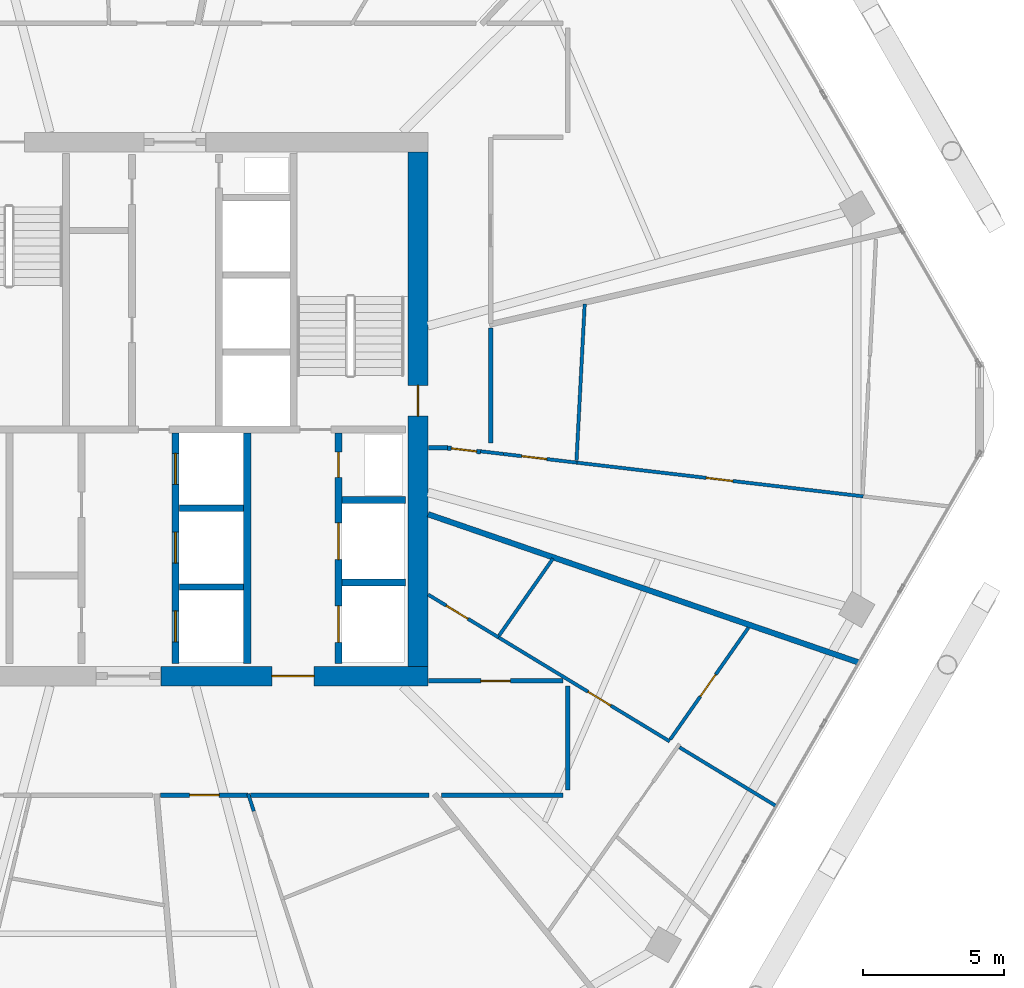
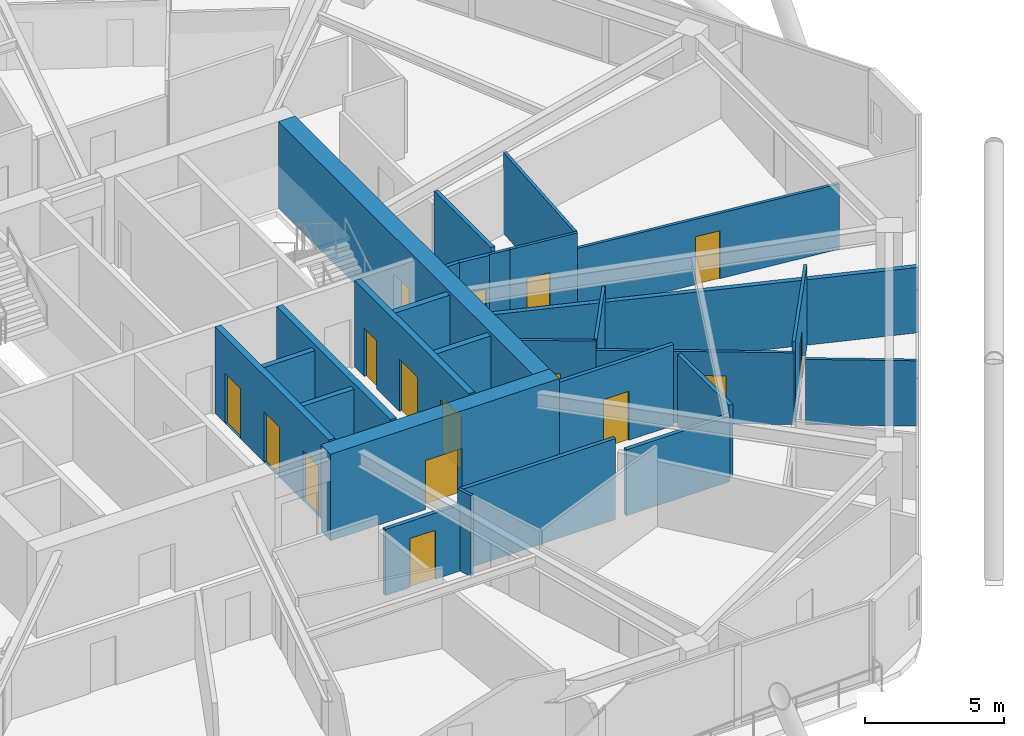
# One storey, part 23 of 28: 28 walls, 16 doors, 16 openings.
"""IFC4 building model written with IfcOpenShell, lengths in metres."""

from ifc_helpers import new_model, si_unit, direction, frame, frame_2d, origin, place, context, subcontext, project, spatial, rectangle, extrude, material, layer, layer_set, type_object, element, fill, save


model = new_model("IFC4")

# Units and contexts
model_context = context("Model", 3, precision=1e-05, world=origin(), true_north=direction((0.0, 1.0)))
body_context = subcontext(model_context, "Body", "Model", "MODEL_VIEW")
ifc_project = project(units=[si_unit("LENGTHUNIT", "METRE"), si_unit("AREAUNIT", "SQUARE_METRE"), si_unit("VOLUMEUNIT", "CUBIC_METRE"), si_unit("PLANEANGLEUNIT", "RADIAN"), si_unit("MASSUNIT", "GRAM", prefix="KILO")], contexts=[model_context])

# Site, building, storey
site_placement = place(None, origin())
site = spatial("IfcSite", under=ifc_project, at=site_placement, CompositionType="ELEMENT")
building_placement = place(site_placement, origin())
building = spatial("IfcBuilding", under=site, at=building_placement, Name="Zuhravey Tower", CompositionType="ELEMENT")
storey_placement = place(building_placement, frame((0.0, 0.0, 207.39990234375)))
storey = spatial("IfcBuildingStorey", under=building, at=storey_placement, Name="L52", CompositionType="ELEMENT", Elevation=207.39990234375)

# Wall, opening, door
ifc_material_1 = material(Name="Concrete C60/75", Category="concrete")
ifc_layer_1 = layer(ifc_material_1, 0.699951171875)
ifc_layer_set_1 = layer_set([ifc_layer_1], Name="Concrete C60/75")
wall_type_1 = type_object("IfcWallType", Name="Core Shear Wall 700", PredefinedType="SHEAR", material=ifc_layer_set_1)
wall_1_placement = place(storey_placement, frame((37.35009765625, 22.5, 0.0), z_axis=(0.0, 0.0, 1.0), x_axis=(1.0, 0.0, 0.0)))
wall_1 = element("IfcWall", 1, at=wall_1_placement, inside=storey, type_object=wall_type_1, Name="L52 South-East Core Shear Wall CW70", PredefinedType="SHEAR", context=body_context, shape_type="SweptSolid", body=[
    extrude(rectangle(XDim=9.5, YDim=0.699951171875, at=frame_2d((4.75, 0.0))), origin(), (0.0, 0.0, 1.0), 3.800048828125),
])
opening_1_placement = place(wall_1_placement, frame((3.949951171875, 0.0, 0.0)))
opening_1 = element("IfcOpeningElement", 2, at=opening_1_placement, cuts=wall_1, Name="Opening FFD1", PredefinedType="OPENING", context=body_context, shape_type="SweptSolid", body=[
    extrude(rectangle(XDim=1.5, YDim=2.14990234375, at=frame_2d((0.75, 1.074951171875))), frame((0.0, 0.362060546875, 0.0), z_axis=(0.0, -1.0, 0.0), x_axis=(1.0, 0.0, 0.0)), (0.0, 0.0, 1.0), 0.723876953125),
])
ifc_material_2 = material(Name="Galvanised fire-rated steel leaf", Category="steel")
door_type_1 = type_object("IfcDoorType", Name="Firefighting Lobby Double Door 1500x2150", OperationType="DOUBLE_DOOR_SINGLE_SWING", PredefinedType="DOOR", material=ifc_material_2)
door_1_placement = place(opening_1_placement, origin())
door_1 = element("IfcDoor", 3, at=door_1_placement, inside=storey, type_object=door_type_1, Name="L52 Firefighting Lobby East Door", OperationType="DOUBLE_DOOR_SINGLE_SWING", OverallHeight=2.14990234375, OverallWidth=1.5, PredefinedType="DOOR", context=body_context, shape_type="SweptSolid", body=[
    extrude(rectangle(XDim=1.5, YDim=2.14990234375, at=frame_2d((0.75, 1.074951171875))), frame((0.0, 0.02490234375, 0.0), z_axis=(0.0, -1.0, 0.0), x_axis=(1.0, 0.0, 0.0)), (0.0, 0.0, 1.0), 0.050048828125),
])
fill(opening_1, door_1)

wall_2_placement = place(storey_placement, frame((46.5, 22.85009765625, 0.0), z_axis=(0.0, 0.0, 1.0), x_axis=(0.0, 1.0, 0.0)))
wall_2 = element("IfcWall", 4, at=wall_2_placement, inside=storey, type_object=wall_type_1, Name="L52 East Core Shear Wall CW70", PredefinedType="SHEAR", context=body_context, shape_type="SweptSolid", body=[
    extrude(rectangle(XDim=18.2998046875, YDim=0.699951171875, at=frame_2d((9.14990234375, 0.0))), origin(), (0.0, 0.0, 1.0), 3.800048828125),
])
opening_2_placement = place(wall_2_placement, frame((8.89990234375, 0.0, 0.0)))
opening_2 = element("IfcOpeningElement", 5, at=opening_2_placement, cuts=wall_2, Name="Opening STD1", PredefinedType="OPENING", context=body_context, shape_type="SweptSolid", body=[
    extrude(rectangle(XDim=1.10009765625, YDim=2.14990234375, at=frame_2d((0.550048828125, 1.074951171875))), frame((0.0, 0.362060546875, 0.0), z_axis=(0.0, -1.0, 0.0), x_axis=(1.0, 0.0, 0.0)), (0.0, 0.0, 1.0), 0.723876953125),
])
door_type_2 = type_object("IfcDoorType", Name="Protected Stair Fire Door 1100x2150", OperationType="NOTDEFINED", PredefinedType="USERDEFINED", material=ifc_material_2)
door_2_placement = place(opening_2_placement, origin())
door_2 = element("IfcDoor", 6, at=door_2_placement, inside=storey, type_object=door_type_2, Name="L52 Stair ST2 Door", ObjectType="EXITDOOR", OperationType="SINGLE_SWING_RIGHT", OverallHeight=2.14990234375, OverallWidth=1.10009765625, PredefinedType="USERDEFINED", context=body_context, shape_type="SweptSolid", body=[
    extrude(rectangle(XDim=1.10009765625, YDim=2.14990234375, at=frame_2d((0.550048828125, 1.074951171875))), frame((0.0, 0.02490234375, 0.0), z_axis=(0.0, -1.0, 0.0), x_axis=(1.0, 0.0, 0.0)), (0.0, 0.0, 1.0), 0.050048828125),
])
fill(opening_2, door_2)

ifc_material_3 = material(Name="Gypsum fire-rated stud partition")
ifc_layer_2 = layer(ifc_material_3, 0.159912109375)
ifc_layer_set_2 = layer_set([ifc_layer_2], Name="Gypsum fire-rated stud partition")
wall_type_2 = type_object("IfcWallType", Name="Corridor Fire Partition 160", PredefinedType="PARTITIONING", material=ifc_layer_set_2)
wall_3_placement = place(storey_placement, frame((37.342041015625, 18.27001953125, 0.0), z_axis=(0.0, 0.0, 1.0), x_axis=(1.0, 0.0, 0.0)))
wall_3 = element("IfcWall", 7, at=wall_3_placement, inside=storey, type_object=wall_type_2, Name="L52 IW16 Partition 059", PredefinedType="PARTITIONING", context=body_context, shape_type="SweptSolid", body=[
    extrude(rectangle(XDim=3.108642578125, YDim=0.159912109375, at=frame_2d((1.55419921875, 0.0))), origin(), (0.0, 0.0, 1.0), 2.900146484375),
])
opening_3_placement = place(wall_3_placement, frame((1.029296875, 0.0, 0.0)))
opening_3 = element("IfcOpeningElement", 8, at=opening_3_placement, cuts=wall_3, Name="Opening APD1", PredefinedType="OPENING", context=body_context, shape_type="SweptSolid", body=[
    extrude(rectangle(XDim=1.050048828125, YDim=2.14990234375, at=frame_2d((0.52490234375, 1.074951171875))), frame((0.0, 0.092041015625, 0.0), z_axis=(0.0, -1.0, 0.0), x_axis=(1.0, 0.0, 0.0)), (0.0, 0.0, 1.0), 0.183837890625),
])
ifc_material_4 = material(Name="Solid-core oak fire-rated leaf")
door_type_3 = type_object("IfcDoorType", Name="Apartment Entrance Fire Door 1050x2150", OperationType="NOTDEFINED", PredefinedType="DOOR", material=ifc_material_4)
door_3_placement = place(opening_3_placement, frame((1.050048828125, 0.0, 0.0), z_axis=(0.0, 0.0, 1.0), x_axis=(-1.0, 0.0, 0.0)))
door_3 = element("IfcDoor", 9, at=door_3_placement, inside=storey, type_object=door_type_3, Name="L52 Door 059.1", OperationType="SINGLE_SWING_LEFT", OverallHeight=2.14990234375, OverallWidth=1.050048828125, PredefinedType="DOOR", context=body_context, shape_type="SweptSolid", body=[
    extrude(rectangle(XDim=1.050048828125, YDim=2.14990234375, at=frame_2d((0.52490234375, 1.074951171875))), frame((0.0, 0.02490234375, 0.0), z_axis=(0.0, -1.0, 0.0), x_axis=(1.0, 0.0, 0.0)), (0.0, 0.0, 1.0), 0.050048828125),
])
fill(opening_3, door_3)

wall_4_placement = place(storey_placement, frame((51.64990234375, 22.330078125, 0.0), z_axis=(0.0, 0.0, 1.0), x_axis=(-1.0, 0.0, 0.0)))
wall_4 = element("IfcWall", 10, at=wall_4_placement, inside=storey, type_object=wall_type_2, Name="L52 IW16 Partition 064", PredefinedType="PARTITIONING", context=body_context, shape_type="SweptSolid", body=[
    extrude(rectangle(XDim=4.77978515625, YDim=0.159912109375, at=frame_2d((2.389892578125, 0.0))), origin(), (0.0, 0.0, 1.0), 3.550048828125),
])
opening_4_placement = place(wall_4_placement, frame((1.864990234375, 0.0, 0.0)))
opening_4 = element("IfcOpeningElement", 11, at=opening_4_placement, cuts=wall_4, Name="Opening APD1", PredefinedType="OPENING", context=body_context, shape_type="SweptSolid", body=[
    extrude(rectangle(XDim=1.050048828125, YDim=2.14990234375, at=frame_2d((0.52490234375, 1.074951171875))), frame((0.0, 0.092041015625, 0.0), z_axis=(0.0, -1.0, 0.0), x_axis=(1.0, 0.0, 0.0)), (0.0, 0.0, 1.0), 0.183837890625),
])
door_4_placement = place(opening_4_placement, origin())
door_4 = element("IfcDoor", 12, at=door_4_placement, inside=storey, type_object=door_type_3, Name="L52 Door 064.1", OperationType="SINGLE_SWING_LEFT", OverallHeight=2.14990234375, OverallWidth=1.050048828125, PredefinedType="DOOR", context=body_context, shape_type="SweptSolid", body=[
    extrude(rectangle(XDim=1.050048828125, YDim=2.14990234375, at=frame_2d((0.52490234375, 1.074951171875))), frame((0.0, 0.02490234375, 0.0), z_axis=(0.0, -1.0, 0.0), x_axis=(1.0, 0.0, 0.0)), (0.0, 0.0, 1.0), 0.050048828125),
])
fill(opening_4, door_4)

wall_5_placement = place(storey_placement, frame((47.541259765625, 30.6201171875, 0.0), z_axis=(0.0, 0.0, 1.0), x_axis=(0.993117135496, -0.117125382325, 0.0)))
wall_5 = element("IfcWall", 13, at=wall_5_placement, inside=storey, type_object=wall_type_2, Name="L52 IW16 Partition 068", PredefinedType="PARTITIONING", context=body_context, shape_type="SweptSolid", body=[
    extrude(rectangle(XDim=1.196533203125, YDim=0.159912109375, at=frame_2d((0.59814453125, 0.0))), origin(), (0.0, 0.0, 1.0), 3.550048828125),
])
opening_5_placement = place(wall_5_placement, frame((0.148193359375, 0.0, 0.0)))
opening_5 = element("IfcOpeningElement", 14, at=opening_5_placement, cuts=wall_5, Name="Opening RSD1", PredefinedType="OPENING", context=body_context, shape_type="SweptSolid", body=[
    extrude(rectangle(XDim=0.89990234375, YDim=2.10009765625, at=frame_2d((0.449951171875, 1.050048828125))), frame((0.0, 0.092041015625, 0.0), z_axis=(0.0, -1.0, 0.0), x_axis=(1.0, 0.0, 0.0)), (0.0, 0.0, 1.0), 0.183837890625),
])
ifc_material_5 = material(Name="Galvanised fire-rated steel access leaf", Category="steel")
door_type_4 = type_object("IfcDoorType", Name="Riser & Shaft Access Fire Door 900x2100", OperationType="NOTDEFINED", PredefinedType="DOOR", material=ifc_material_5)
door_5_placement = place(opening_5_placement, frame((0.89990234375, 0.0, 0.0), z_axis=(0.0, 0.0, 1.0), x_axis=(-1.0, 0.0, 0.0)))
door_5 = element("IfcDoor", 15, at=door_5_placement, inside=storey, type_object=door_type_4, Name="L52 Door 068.1", OperationType="SINGLE_SWING_LEFT", OverallHeight=2.10009765625, OverallWidth=0.89990234375, PredefinedType="DOOR", context=body_context, shape_type="SweptSolid", body=[
    extrude(rectangle(XDim=0.89990234375, YDim=2.10009765625, at=frame_2d((0.449951171875, 1.050048828125))), frame((0.0, 0.02490234375, 0.0), z_axis=(0.0, -1.0, 0.0), x_axis=(1.0, 0.0, 0.0)), (0.0, 0.0, 1.0), 0.050048828125),
])
fill(opening_5, door_5)

# Walls
wall_6_placement = place(storey_placement, frame((40.543212890625, 18.27001953125, 0.0), z_axis=(0.0, 0.0, 1.0), x_axis=(1.0, 0.0, 0.0)))
element("IfcWall", 16, at=wall_6_placement, inside=storey, type_object=wall_type_2, Name="L52 IW16 Partition 135", PredefinedType="PARTITIONING", context=body_context, shape_type="SweptSolid", body=[
    extrude(rectangle(XDim=6.3525390625, YDim=0.159912109375, at=frame_2d((3.17626953125, 0.0))), origin(), (0.0, 0.0, 1.0), 3.550048828125),
])
wall_7_placement = place(storey_placement, frame((47.343994140625, 18.27001953125, 0.0), z_axis=(0.0, 0.0, 1.0), x_axis=(1.0, 0.0, 0.0)))
element("IfcWall", 17, at=wall_7_placement, inside=storey, type_object=wall_type_2, Name="L52 IW16 Partition 136", PredefinedType="PARTITIONING", context=body_context, shape_type="SweptSolid", body=[
    extrude(rectangle(XDim=4.305908203125, YDim=0.159912109375, at=frame_2d((2.15283203125, 0.0))), origin(), (0.0, 0.0, 1.0), 2.900146484375),
])
wall_8_placement = place(storey_placement, frame((51.830078125, 18.449951171875, 0.0), z_axis=(0.0, 0.0, 1.0), x_axis=(0.0, 1.0, 0.0)))
element("IfcWall", 18, at=wall_8_placement, inside=storey, type_object=wall_type_2, Name="L52 IW16 Partition 137", PredefinedType="PARTITIONING", context=body_context, shape_type="SweptSolid", body=[
    extrude(rectangle(XDim=3.699951171875, YDim=0.159912109375, at=frame_2d((1.85009765625, 0.0))), origin(), (0.0, 0.0, 1.0), 3.150146484375),
])
wall_9_placement = place(storey_placement, frame((46.8701171875, 30.6201171875, 0.0), z_axis=(0.0, 0.0, 1.0), x_axis=(1.0, 0.0, 0.0)))
element("IfcWall", 19, at=wall_9_placement, inside=storey, type_object=wall_type_2, Name="L52 IW16 Partition 138", PredefinedType="PARTITIONING", context=body_context, shape_type="SweptSolid", body=[
    extrude(rectangle(XDim=0.671142578125, YDim=0.159912109375, at=frame_2d((0.33544921875, 0.0))), origin(), (0.0, 0.0, 1.0), 3.550048828125),
])
wall_10_placement = place(storey_placement, frame((49.080078125, 30.800048828125, 0.0), z_axis=(0.0, 0.0, 1.0), x_axis=(0.0, 1.0, 0.0)))
element("IfcWall", 20, at=wall_10_placement, inside=storey, type_object=wall_type_2, Name="L52 IW16 Partition 139", PredefinedType="PARTITIONING", context=body_context, shape_type="SweptSolid", body=[
    extrude(rectangle(XDim=4.079345703125, YDim=0.159912109375, at=frame_2d((2.03955078125, 0.0))), origin(), (0.0, 0.0, 1.0), 3.550048828125),
])

# Wall, openings, doors
ifc_material_6 = material(Name="Concrete C50/60", Category="concrete")
ifc_layer_3 = layer(ifc_material_6, 0.25)
ifc_layer_set_3 = layer_set([ifc_layer_3], Name="Concrete C50/60")
wall_type_3 = type_object("IfcWallType", Name="Firefighting Shaft & Stair Wall 250", PredefinedType="SOLIDWALL", material=ifc_layer_set_3)
wall_11_placement = place(storey_placement, frame((37.875, 22.949951171875, 0.0), z_axis=(0.0, 0.0, 1.0), x_axis=(0.0, 1.0, 0.0)))
wall_11 = element("IfcWall", 21, at=wall_11_placement, inside=storey, type_object=wall_type_3, Name="L52 FW25 Shaft Wall 015", PredefinedType="SOLIDWALL", context=body_context, shape_type="SweptSolid", body=[
    extrude(rectangle(XDim=8.199951171875, YDim=0.25, at=frame_2d((4.10009765625, 0.0))), origin(), (0.0, 0.0, 1.0), 3.800048828125),
])
opening_6_placement = place(wall_11_placement, frame((0.77490234375, 0.0, 0.0)))
opening_6 = element("IfcOpeningElement", 22, at=opening_6_placement, cuts=wall_11, Name="Opening LD1", PredefinedType="OPENING", context=body_context, shape_type="SweptSolid", body=[
    extrude(rectangle(XDim=1.10009765625, YDim=2.199951171875, at=frame_2d((0.550048828125, 1.10009765625))), frame((0.0, 0.136962890625, 0.0), z_axis=(0.0, -1.0, 0.0), x_axis=(1.0, 0.0, 0.0)), (0.0, 0.0, 1.0), 0.27392578125),
])
opening_7_placement = place(wall_11_placement, frame((3.574951171875, 0.0, 0.0)))
opening_7 = element("IfcOpeningElement", 23, at=opening_7_placement, cuts=wall_11, Name="Opening LD1", PredefinedType="OPENING", context=body_context, shape_type="SweptSolid", body=[
    extrude(rectangle(XDim=1.10009765625, YDim=2.199951171875, at=frame_2d((0.550048828125, 1.10009765625))), frame((0.0, 0.136962890625, 0.0), z_axis=(0.0, -1.0, 0.0), x_axis=(1.0, 0.0, 0.0)), (0.0, 0.0, 1.0), 0.27392578125),
])
opening_8_placement = place(wall_11_placement, frame((6.375, 0.0, 0.0)))
opening_8 = element("IfcOpeningElement", 24, at=opening_8_placement, cuts=wall_11, Name="Opening LD1", PredefinedType="OPENING", context=body_context, shape_type="SweptSolid", body=[
    extrude(rectangle(XDim=1.10009765625, YDim=2.199951171875, at=frame_2d((0.550048828125, 1.10009765625))), frame((0.0, 0.136962890625, 0.0), z_axis=(0.0, -1.0, 0.0), x_axis=(1.0, 0.0, 0.0)), (0.0, 0.0, 1.0), 0.27392578125),
])
ifc_material_7 = material(Name="Brushed stainless steel", Category="steel")
door_type_5 = type_object("IfcDoorType", Name="Lift Landing Sliding Door 1100x2200", OperationType="DOUBLE_DOOR_SLIDING", PredefinedType="DOOR", material=ifc_material_7)
door_6_placement = place(opening_6_placement, origin())
door_6 = element("IfcDoor", 25, at=door_6_placement, inside=storey, type_object=door_type_5, Name="L52 Lift PL4 Landing Door", OperationType="DOUBLE_DOOR_SLIDING", OverallHeight=2.199951171875, OverallWidth=1.10009765625, PredefinedType="DOOR", context=body_context, shape_type="SweptSolid", body=[
    extrude(rectangle(XDim=1.10009765625, YDim=2.199951171875, at=frame_2d((0.550048828125, 1.10009765625))), frame((0.0, 0.02490234375, 0.0), z_axis=(0.0, -1.0, 0.0), x_axis=(1.0, 0.0, 0.0)), (0.0, 0.0, 1.0), 0.050048828125),
])
fill(opening_6, door_6)
door_7_placement = place(opening_7_placement, origin())
door_7 = element("IfcDoor", 26, at=door_7_placement, inside=storey, type_object=door_type_5, Name="L52 Lift PL5 Landing Door", OperationType="DOUBLE_DOOR_SLIDING", OverallHeight=2.199951171875, OverallWidth=1.10009765625, PredefinedType="DOOR", context=body_context, shape_type="SweptSolid", body=[
    extrude(rectangle(XDim=1.10009765625, YDim=2.199951171875, at=frame_2d((0.550048828125, 1.10009765625))), frame((0.0, 0.02490234375, 0.0), z_axis=(0.0, -1.0, 0.0), x_axis=(1.0, 0.0, 0.0)), (0.0, 0.0, 1.0), 0.050048828125),
])
fill(opening_7, door_7)
door_8_placement = place(opening_8_placement, origin())
door_8 = element("IfcDoor", 27, at=door_8_placement, inside=storey, type_object=door_type_5, Name="L52 Lift PL6 Landing Door", OperationType="DOUBLE_DOOR_SLIDING", OverallHeight=2.199951171875, OverallWidth=1.10009765625, PredefinedType="DOOR", context=body_context, shape_type="SweptSolid", body=[
    extrude(rectangle(XDim=1.10009765625, YDim=2.199951171875, at=frame_2d((0.550048828125, 1.10009765625))), frame((0.0, 0.02490234375, 0.0), z_axis=(0.0, -1.0, 0.0), x_axis=(1.0, 0.0, 0.0)), (0.0, 0.0, 1.0), 0.050048828125),
])
fill(opening_8, door_8)

# Walls
wall_12_placement = place(storey_placement, frame((40.425048828125, 22.949951171875, 0.0), z_axis=(0.0, 0.0, 1.0), x_axis=(0.0, 1.0, 0.0)))
element("IfcWall", 28, at=wall_12_placement, inside=storey, type_object=wall_type_3, Name="L52 FW25 Shaft Wall 016", PredefinedType="SOLIDWALL", context=body_context, shape_type="SweptSolid", body=[
    extrude(rectangle(XDim=8.199951171875, YDim=0.25, at=frame_2d((4.10009765625, 0.0))), origin(), (0.0, 0.0, 1.0), 3.800048828125),
])
for number, where, z_axis, x_axis, name in (
    (29, (43.800048828125, 25.824951171875, 0.0), (0.0, 0.0, 1.0), (1.0, 0.0, 0.0), "L52 FW25 Shaft Wall 017"),
    (30, (43.800048828125, 28.77490234375, 0.0), (0.0, 0.0, 1.0), (1.0, 0.0, 0.0), "L52 FW25 Shaft Wall 018"),
):
    element("IfcWall", number, at=place(storey_placement, frame(where, z_axis=z_axis, x_axis=x_axis)), inside=storey, type_object=wall_type_3, Name=name, PredefinedType="SOLIDWALL", context=body_context, shape_type="SweptSolid", body=[
        extrude(rectangle(XDim=2.25, YDim=0.25, at=frame_2d((1.125, 0.0))), origin(), (0.0, 0.0, 1.0), 3.800048828125),
    ])

# Wall, openings, doors
wall_13_placement = place(storey_placement, frame((43.675048828125, 22.949951171875, 0.0), z_axis=(0.0, 0.0, 1.0), x_axis=(0.0, 1.0, 0.0)))
wall_13 = element("IfcWall", 31, at=wall_13_placement, inside=storey, type_object=wall_type_3, Name="L52 FW25 Shaft Wall 019", PredefinedType="SOLIDWALL", context=body_context, shape_type="SweptSolid", body=[
    extrude(rectangle(XDim=8.199951171875, YDim=0.25, at=frame_2d((4.10009765625, 0.0))), origin(), (0.0, 0.0, 1.0), 3.800048828125),
])
opening_9_placement = place(wall_13_placement, frame((0.75, 0.0, 0.0)))
opening_9 = element("IfcOpeningElement", 32, at=opening_9_placement, cuts=wall_13, Name="Opening LD2", PredefinedType="OPENING", context=body_context, shape_type="SweptSolid", body=[
    extrude(rectangle(XDim=1.300048828125, YDim=2.300048828125, at=frame_2d((0.64990234375, 1.14990234375))), frame((0.0, 0.136962890625, 0.0), z_axis=(0.0, -1.0, 0.0), x_axis=(1.0, 0.0, 0.0)), (0.0, 0.0, 1.0), 0.27392578125),
])
opening_10_placement = place(wall_13_placement, frame((3.699951171875, 0.0, 0.0)))
opening_10 = element("IfcOpeningElement", 33, at=opening_10_placement, cuts=wall_13, Name="Opening LD2", PredefinedType="OPENING", context=body_context, shape_type="SweptSolid", body=[
    extrude(rectangle(XDim=1.300048828125, YDim=2.300048828125, at=frame_2d((0.64990234375, 1.14990234375))), frame((0.0, 0.136962890625, 0.0), z_axis=(0.0, -1.0, 0.0), x_axis=(1.0, 0.0, 0.0)), (0.0, 0.0, 1.0), 0.27392578125),
])
opening_11_placement = place(wall_13_placement, frame((6.6201171875, 0.0, 0.0)))
opening_11 = element("IfcOpeningElement", 34, at=opening_11_placement, cuts=wall_13, Name="Opening RSD1", PredefinedType="OPENING", context=body_context, shape_type="SweptSolid", body=[
    extrude(rectangle(XDim=0.89990234375, YDim=2.10009765625, at=frame_2d((0.449951171875, 1.050048828125))), frame((0.0, 0.136962890625, 0.0), z_axis=(0.0, -1.0, 0.0), x_axis=(1.0, 0.0, 0.0)), (0.0, 0.0, 1.0), 0.27392578125),
])
door_type_6 = type_object("IfcDoorType", Name="Freight & Stretcher Lift Sliding Door 1300x2300", OperationType="DOUBLE_DOOR_SLIDING", PredefinedType="DOOR", material=ifc_material_7)
door_9_placement = place(opening_9_placement, origin())
door_9 = element("IfcDoor", 35, at=door_9_placement, inside=storey, type_object=door_type_6, Name="L52 Lift FF2 Landing Door", OperationType="DOUBLE_DOOR_SLIDING", OverallHeight=2.300048828125, OverallWidth=1.300048828125, PredefinedType="DOOR", context=body_context, shape_type="SweptSolid", body=[
    extrude(rectangle(XDim=1.300048828125, YDim=2.300048828125, at=frame_2d((0.64990234375, 1.14990234375))), frame((0.0, 0.02490234375, 0.0), z_axis=(0.0, -1.0, 0.0), x_axis=(1.0, 0.0, 0.0)), (0.0, 0.0, 1.0), 0.050048828125),
])
fill(opening_9, door_9)
door_10_placement = place(opening_10_placement, origin())
door_10 = element("IfcDoor", 36, at=door_10_placement, inside=storey, type_object=door_type_6, Name="L52 Lift SV1 Landing Door", OperationType="DOUBLE_DOOR_SLIDING", OverallHeight=2.300048828125, OverallWidth=1.300048828125, PredefinedType="DOOR", context=body_context, shape_type="SweptSolid", body=[
    extrude(rectangle(XDim=1.300048828125, YDim=2.300048828125, at=frame_2d((0.64990234375, 1.14990234375))), frame((0.0, 0.02490234375, 0.0), z_axis=(0.0, -1.0, 0.0), x_axis=(1.0, 0.0, 0.0)), (0.0, 0.0, 1.0), 0.050048828125),
])
fill(opening_10, door_10)
door_11_placement = place(opening_11_placement, origin())
door_11 = element("IfcDoor", 37, at=door_11_placement, inside=storey, type_object=door_type_4, Name="L52 Plumbing Riser Door", OperationType="SINGLE_SWING_RIGHT", OverallHeight=2.10009765625, OverallWidth=0.89990234375, PredefinedType="DOOR", context=body_context, shape_type="SweptSolid", body=[
    extrude(rectangle(XDim=0.89990234375, YDim=2.10009765625, at=frame_2d((0.449951171875, 1.050048828125))), frame((0.0, 0.02490234375, 0.0), z_axis=(0.0, -1.0, 0.0), x_axis=(1.0, 0.0, 0.0)), (0.0, 0.0, 1.0), 0.050048828125),
])
fill(opening_11, door_11)

# Walls
ifc_material_8 = material(Name="Gypsum double-stud party assembly")
ifc_layer_4 = layer(ifc_material_8, 0.199951171875)
ifc_layer_set_4 = layer_set([ifc_layer_4], Name="Gypsum double-stud party assembly")
wall_type_4 = type_object("IfcWallType", Name="Inter-Tenancy Party Wall 200", PredefinedType="PARTITIONING", material=ifc_layer_set_4)
wall_14_placement = place(storey_placement, frame((46.85791015625, 28.26123046875, 0.0), z_axis=(0.0, 0.0, 1.0), x_axis=(0.945519192018, -0.325566364243, 0.0)))
element("IfcWall", 38, at=wall_14_placement, inside=storey, type_object=wall_type_4, Name="L52 IW20 Partition 117", PredefinedType="PARTITIONING", context=body_context, shape_type="SweptSolid", body=[
    extrude(rectangle(XDim=16.208251953125, YDim=0.199951171875, at=frame_2d((8.10400390625, 0.0))), origin(), (0.0, 0.0, 1.0), 2.8701171875),
])
ifc_material_9 = material(Name="Gypsum acoustic stud assembly")
ifc_layer_5 = layer(ifc_material_9, 0.219970703125)
ifc_layer_set_5 = layer_set([ifc_layer_5], Name="Gypsum acoustic stud assembly")
wall_type_5 = type_object("IfcWallType", Name="School Acoustic Compartment Wall 220", PredefinedType="PARTITIONING", material=ifc_layer_set_5)
for number, where, z_axis, x_axis, name in (
    (39, (38.008056640625, 25.675048828125, 0.0), (0.0, 0.0, 1.0), (1.0, 0.0, 0.0), "L52 IW22 Partition 074"),
    (40, (38.008056640625, 28.47509765625, 0.0), (0.0, 0.0, 1.0), (1.0, 0.0, 0.0), "L52 IW22 Partition 075"),
):
    element("IfcWall", number, at=place(storey_placement, frame(where, z_axis=z_axis, x_axis=x_axis)), inside=storey, type_object=wall_type_5, Name=name, PredefinedType="PARTITIONING", context=body_context, shape_type="SweptSolid", body=[
        extrude(rectangle(XDim=2.283935546875, YDim=0.219970703125, at=frame_2d((1.14208984375, 0.0))), origin(), (0.0, 0.0, 1.0), 3.550048828125),
    ])

# Wall, opening, door
ifc_material_10 = material(Name="Gypsum metal-stud partition")
ifc_layer_6 = layer(ifc_material_10, 0.1201171875)
ifc_layer_set_6 = layer_set([ifc_layer_6], Name="Gypsum metal-stud partition")
wall_type_6 = type_object("IfcWallType", Name="Unit Internal Partition 120", PredefinedType="PARTITIONING", material=ifc_layer_set_6)
wall_15_placement = place(storey_placement, frame((46.85791015625, 25.403564453125, 0.0), z_axis=(0.0, 0.0, 1.0), x_axis=(0.85464129029, -0.519218898857, 0.0)))
wall_15 = element("IfcWall", 41, at=wall_15_placement, inside=storey, type_object=wall_type_6, Name="L52 IW12 Partition 061", PredefinedType="PARTITIONING", context=body_context, shape_type="SweptSolid", body=[
    extrude(rectangle(XDim=2.93701171875, YDim=0.1201171875, at=frame_2d((1.468505859375, 0.0))), origin(), (0.0, 0.0, 1.0), 3.550048828125),
])
opening_12_placement = place(wall_15_placement, frame((0.760986328125, 0.0, 0.0)))
opening_12 = element("IfcOpeningElement", 42, at=opening_12_placement, cuts=wall_15, Name="Opening WCD1", PredefinedType="OPENING", context=body_context, shape_type="SweptSolid", body=[
    extrude(rectangle(XDim=0.89990234375, YDim=2.10009765625, at=frame_2d((0.449951171875, 1.050048828125))), frame((0.0, 0.072021484375, 0.0), z_axis=(0.0, -1.0, 0.0), x_axis=(1.0, 0.0, 0.0)), (0.0, 0.0, 1.0), 0.14404296875),
])
ifc_material_11 = material(Name="Moisture-resistant timber leaf", Category="wood")
door_type_7 = type_object("IfcDoorType", Name="Bathroom & WC Internal Door 900x2100", OperationType="NOTDEFINED", PredefinedType="DOOR", material=ifc_material_11)
door_12_placement = place(opening_12_placement, origin())
door_12 = element("IfcDoor", 43, at=door_12_placement, inside=storey, type_object=door_type_7, Name="Apartment L52-09 Bathroom Door", OperationType="SINGLE_SWING_RIGHT", OverallHeight=2.10009765625, OverallWidth=0.89990234375, PredefinedType="DOOR", context=body_context, shape_type="SweptSolid", body=[
    extrude(rectangle(XDim=0.89990234375, YDim=2.10009765625, at=frame_2d((0.449951171875, 1.050048828125))), frame((0.0, 0.02490234375, 0.0), z_axis=(0.0, -1.0, 0.0), x_axis=(1.0, 0.0, 0.0)), (0.0, 0.0, 1.0), 0.050048828125),
])
fill(opening_12, door_12)

wall_16_placement = place(storey_placement, frame((49.367919921875, 23.878662109375, 0.0), z_axis=(0.0, 0.0, 1.0), x_axis=(0.854630517303, -0.519236630925, 0.0)))
wall_16 = element("IfcWall", 44, at=wall_16_placement, inside=storey, type_object=wall_type_6, Name="L52 IW12 Partition 062", PredefinedType="PARTITIONING", context=body_context, shape_type="SweptSolid", body=[
    extrude(rectangle(XDim=7.1220703125, YDim=0.1201171875, at=frame_2d((3.56103515625, 0.0))), origin(), (0.0, 0.0, 1.0), 3.150146484375),
])
opening_13_placement = place(wall_16_placement, frame((3.720947265625, 0.0, 0.0)))
opening_13 = element("IfcOpeningElement", 45, at=opening_13_placement, cuts=wall_16, Name="Opening IND1", PredefinedType="OPENING", context=body_context, shape_type="SweptSolid", body=[
    extrude(rectangle(XDim=0.949951171875, YDim=2.10009765625, at=frame_2d((0.47509765625, 1.050048828125))), frame((0.0, 0.072021484375, 0.0), z_axis=(0.0, -1.0, 0.0), x_axis=(1.0, 0.0, 0.0)), (0.0, 0.0, 1.0), 0.14404296875),
])
ifc_material_12 = material(Name="Painted engineered timber leaf", Category="wood")
door_type_8 = type_object("IfcDoorType", Name="Internal Room & Bedroom Door 950x2100", OperationType="NOTDEFINED", PredefinedType="DOOR", material=ifc_material_12)
door_13_placement = place(opening_13_placement, origin())
door_13 = element("IfcDoor", 46, at=door_13_placement, inside=storey, type_object=door_type_8, Name="Apartment L52-09 Home Office Door", OperationType="SINGLE_SWING_LEFT", OverallHeight=2.10009765625, OverallWidth=0.949951171875, PredefinedType="DOOR", context=body_context, shape_type="SweptSolid", body=[
    extrude(rectangle(XDim=0.949951171875, YDim=2.10009765625, at=frame_2d((0.47509765625, 1.050048828125))), frame((0.0, 0.02490234375, 0.0), z_axis=(0.0, -1.0, 0.0), x_axis=(1.0, 0.0, 0.0)), (0.0, 0.0, 1.0), 0.050048828125),
])
fill(opening_13, door_13)

wall_17_placement = place(storey_placement, frame((55.47216796875, 20.24951171875, 0.0), z_axis=(0.0, 0.0, 1.0), x_axis=(0.573594011526, 0.819139737738, 0.0)))
wall_17 = element("IfcWall", 47, at=wall_17_placement, inside=storey, type_object=wall_type_6, Name="L52 IW12 Partition 063", PredefinedType="PARTITIONING", context=body_context, shape_type="SweptSolid", body=[
    extrude(rectangle(XDim=4.85302734375, YDim=0.1201171875, at=frame_2d((2.426513671875, 0.0))), origin(), (0.0, 0.0, 1.0), 3.550048828125),
])
opening_14_placement = place(wall_17_placement, frame((1.867431640625, 0.0, 0.0)))
opening_14 = element("IfcOpeningElement", 48, at=opening_14_placement, cuts=wall_17, Name="Opening IND1", PredefinedType="OPENING", context=body_context, shape_type="SweptSolid", body=[
    extrude(rectangle(XDim=0.949951171875, YDim=2.10009765625, at=frame_2d((0.47509765625, 1.050048828125))), frame((0.0, 0.072021484375, 0.0), z_axis=(0.0, -1.0, 0.0), x_axis=(1.0, 0.0, 0.0)), (0.0, 0.0, 1.0), 0.14404296875),
])
door_14_placement = place(opening_14_placement, frame((0.949951171875, 0.0, 0.0), z_axis=(0.0, 0.0, 1.0), x_axis=(-1.0, 0.0, 0.0)))
door_14 = element("IfcDoor", 49, at=door_14_placement, inside=storey, type_object=door_type_8, Name="Apartment L52-09 Kitchen Door", OperationType="SINGLE_SWING_RIGHT", OverallHeight=2.10009765625, OverallWidth=0.949951171875, PredefinedType="DOOR", context=body_context, shape_type="SweptSolid", body=[
    extrude(rectangle(XDim=0.949951171875, YDim=2.10009765625, at=frame_2d((0.47509765625, 1.050048828125))), frame((0.0, 0.02490234375, 0.0), z_axis=(0.0, -1.0, 0.0), x_axis=(1.0, 0.0, 0.0)), (0.0, 0.0, 1.0), 0.050048828125),
])
fill(opening_14, door_14)

wall_18_placement = place(storey_placement, frame((49.53662109375, 30.405029296875, 0.0), z_axis=(0.0, 0.0, 1.0), x_axis=(0.993127868893, -0.117034336965, 0.0)))
wall_18 = element("IfcWall", 50, at=wall_18_placement, inside=storey, type_object=wall_type_6, Name="L52 IW12 Partition 065", PredefinedType="PARTITIONING", context=body_context, shape_type="SweptSolid", body=[
    extrude(rectangle(XDim=2.640869140625, YDim=0.1201171875, at=frame_2d((1.3203125, 0.0))), origin(), (0.0, 0.0, 1.0), 3.550048828125),
])
opening_15_placement = place(wall_18_placement, frame((0.6591796875, 0.0, 0.0)))
opening_15 = element("IfcOpeningElement", 51, at=opening_15_placement, cuts=wall_18, Name="Opening WCD1", PredefinedType="OPENING", context=body_context, shape_type="SweptSolid", body=[
    extrude(rectangle(XDim=0.89990234375, YDim=2.10009765625, at=frame_2d((0.449951171875, 1.050048828125))), frame((0.0, 0.072021484375, 0.0), z_axis=(0.0, -1.0, 0.0), x_axis=(1.0, 0.0, 0.0)), (0.0, 0.0, 1.0), 0.14404296875),
])
door_15_placement = place(opening_15_placement, origin())
door_15 = element("IfcDoor", 52, at=door_15_placement, inside=storey, type_object=door_type_7, Name="Apartment L52-10 Bathroom Door", OperationType="SINGLE_SWING_RIGHT", OverallHeight=2.10009765625, OverallWidth=0.89990234375, PredefinedType="DOOR", context=body_context, shape_type="SweptSolid", body=[
    extrude(rectangle(XDim=0.89990234375, YDim=2.10009765625, at=frame_2d((0.449951171875, 1.050048828125))), frame((0.0, 0.02490234375, 0.0), z_axis=(0.0, -1.0, 0.0), x_axis=(1.0, 0.0, 0.0)), (0.0, 0.0, 1.0), 0.050048828125),
])
fill(opening_15, door_15)

wall_19_placement = place(storey_placement, frame((52.159423828125, 30.095947265625, 0.0), z_axis=(0.0, 0.0, 1.0), x_axis=(0.993128962812, -0.117025053828, 0.0)))
wall_19 = element("IfcWall", 53, at=wall_19_placement, inside=storey, type_object=wall_type_6, Name="L52 IW12 Partition 066", PredefinedType="PARTITIONING", context=body_context, shape_type="SweptSolid", body=[
    extrude(rectangle(XDim=10.24951171875, YDim=0.1201171875, at=frame_2d((5.124755859375, 0.0))), origin(), (0.0, 0.0, 1.0), 2.8701171875),
])
opening_16_placement = place(wall_19_placement, frame((4.625, 0.0, 0.0)))
opening_16 = element("IfcOpeningElement", 54, at=opening_16_placement, cuts=wall_19, Name="Opening IND1", PredefinedType="OPENING", context=body_context, shape_type="SweptSolid", body=[
    extrude(rectangle(XDim=0.949951171875, YDim=2.10009765625, at=frame_2d((0.47509765625, 1.050048828125))), frame((0.0, 0.072021484375, 0.0), z_axis=(0.0, -1.0, 0.0), x_axis=(1.0, 0.0, 0.0)), (0.0, 0.0, 1.0), 0.14404296875),
])
door_16_placement = place(opening_16_placement, origin())
door_16 = element("IfcDoor", 55, at=door_16_placement, inside=storey, type_object=door_type_8, Name="Apartment L52-10 Home Office Door", OperationType="SINGLE_SWING_LEFT", OverallHeight=2.10009765625, OverallWidth=0.949951171875, PredefinedType="DOOR", context=body_context, shape_type="SweptSolid", body=[
    extrude(rectangle(XDim=0.949951171875, YDim=2.10009765625, at=frame_2d((0.47509765625, 1.050048828125))), frame((0.0, 0.02490234375, 0.0), z_axis=(0.0, -1.0, 0.0), x_axis=(1.0, 0.0, 0.0)), (0.0, 0.0, 1.0), 0.050048828125),
])
fill(opening_16, door_16)

# Walls
wall_20_placement = place(storey_placement, frame((40.45751953125, 18.313720703125, 0.0), z_axis=(0.0, 0.0, 1.0), x_axis=(0.309753046397, -0.95081704352, 0.0)))
element("IfcWall", 56, at=wall_20_placement, inside=storey, type_object=wall_type_6, Name="L52 IW12 Partition 110", PredefinedType="PARTITIONING", context=body_context, shape_type="SweptSolid", body=[
    extrude(rectangle(XDim=0.6455078125, YDim=0.1201171875, at=frame_2d((0.32275390625, 0.0))), origin(), (0.0, 0.0, 1.0), 3.550048828125),
])
wall_21_placement = place(storey_placement, frame((55.8046875, 19.968017578125, 0.0), z_axis=(0.0, 0.0, 1.0), x_axis=(0.854635512636, -0.519228408835, 0.0)))
element("IfcWall", 57, at=wall_21_placement, inside=storey, type_object=wall_type_6, Name="L52 IW12 Partition 115", PredefinedType="PARTITIONING", context=body_context, shape_type="SweptSolid", body=[
    extrude(rectangle(XDim=4.021728515625, YDim=0.1201171875, at=frame_2d((2.0107421875, 0.0))), origin(), (0.0, 0.0, 1.0), 2.8701171875),
])
wall_22_placement = place(storey_placement, frame((49.385498046875, 23.947509765625, 0.0), z_axis=(0.0, 0.0, 1.0), x_axis=(0.573609327382, 0.819129012757, 0.0)))
element("IfcWall", 58, at=wall_22_placement, inside=storey, type_object=wall_type_6, Name="L52 IW12 Partition 116", PredefinedType="PARTITIONING", context=body_context, shape_type="SweptSolid", body=[
    extrude(rectangle(XDim=3.343994140625, YDim=0.1201171875, at=frame_2d((1.671875, 0.0))), origin(), (0.0, 0.0, 1.0), 3.550048828125),
])
wall_23_placement = place(storey_placement, frame((48.731689453125, 30.499755859375, 0.0), z_axis=(0.0, 0.0, 1.0), x_axis=(0.993146491389, -0.116876202202, 0.0)))
element("IfcWall", 59, at=wall_23_placement, inside=storey, type_object=wall_type_6, Name="L52 IW12 Partition 118", PredefinedType="PARTITIONING", context=body_context, shape_type="SweptSolid", body=[
    extrude(rectangle(XDim=0.810546875, YDim=0.1201171875, at=frame_2d((0.4052734375, 0.0))), origin(), (0.0, 0.0, 1.0), 3.550048828125),
])
wall_24_placement = place(storey_placement, frame((52.13818359375, 30.1669921875, 0.0), z_axis=(0.0, 0.0, 1.0), x_axis=(0.052317957022, 0.998630477891, 0.0)))
element("IfcWall", 60, at=wall_24_placement, inside=storey, type_object=wall_type_6, Name="L52 IW12 Partition 120", PredefinedType="PARTITIONING", context=body_context, shape_type="SweptSolid", body=[
    extrude(rectangle(XDim=5.585693359375, YDim=0.1201171875, at=frame_2d((2.79296875, 0.0))), origin(), (0.0, 0.0, 1.0), 3.550048828125),
])

save(model, "model.ifc")
